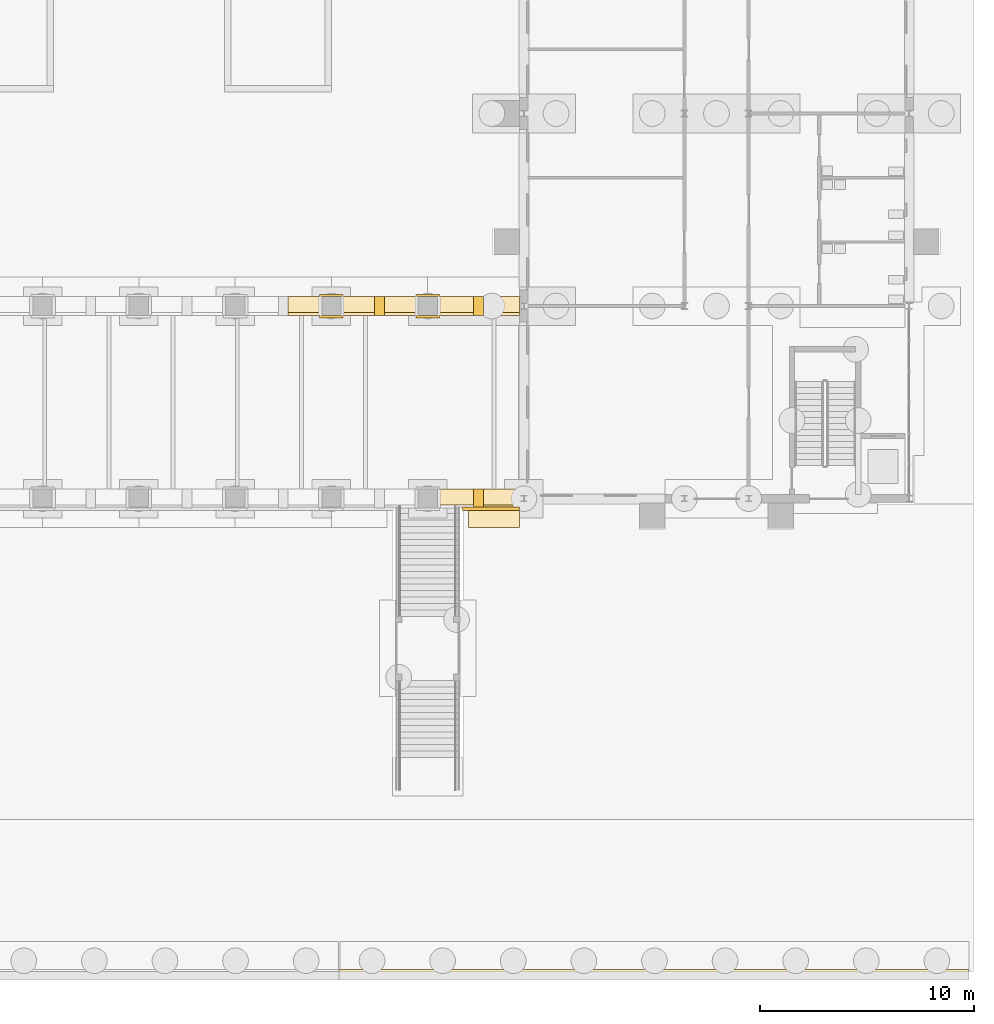
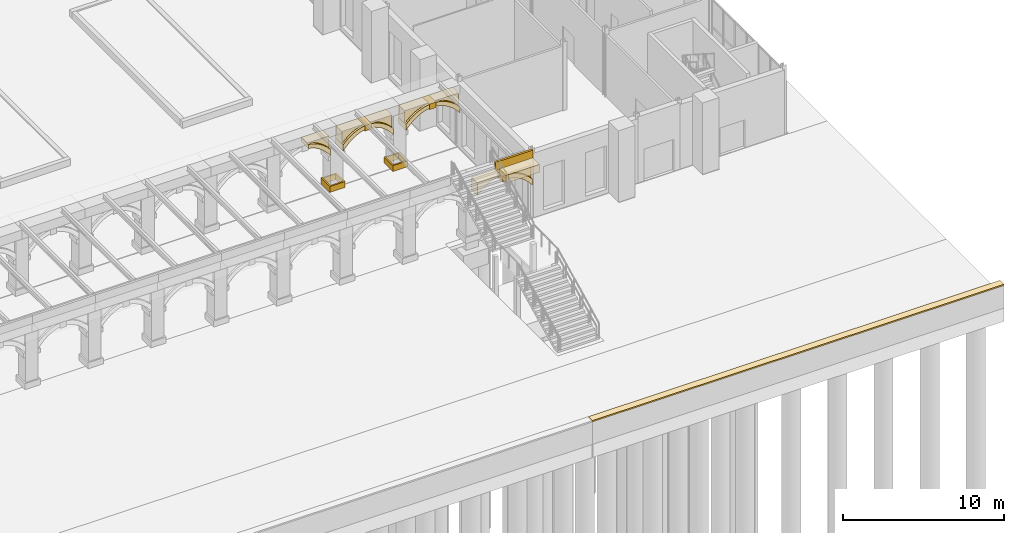
# One storey, part 151 of 168: 21 coverings.
"""IFC4 building model written with IfcOpenShell, lengths in metres."""

from ifc_helpers import new_model, si_unit, direction, frame, origin, origin_2d, place, context, subcontext, project, spatial, polyline, rectangle, outline, extrude, material, layer, layer_set, material_profile, profile_set, type_object, element, save


model = new_model("IFC4")

# Units and contexts
model_context = context("Model", 3, precision=1e-05, world=origin(), true_north=direction((0.0, 1.0)))
body_context = subcontext(model_context, "Body", "Model", "MODEL_VIEW")
ifc_project = project(units=[si_unit("LENGTHUNIT", "METRE"), si_unit("AREAUNIT", "SQUARE_METRE"), si_unit("VOLUMEUNIT", "CUBIC_METRE"), si_unit("PLANEANGLEUNIT", "RADIAN"), si_unit("MASSUNIT", "GRAM", prefix="KILO")], contexts=[model_context])

# Site, building, storey
site_placement = place(None, origin())
site = spatial("IfcSite", under=ifc_project, at=site_placement, CompositionType="ELEMENT")
building_placement = place(site_placement, origin())
building = spatial("IfcBuilding", under=site, at=building_placement, Name="Golden Quay Civic Hall", CompositionType="ELEMENT")
storey_placement = place(building_placement, origin())
storey = spatial("IfcBuildingStorey", under=building, at=storey_placement, Name="L00", CompositionType="ELEMENT", Elevation=0.0)

# Coverings
ifc_material_1 = material(Name="Brick, dark clay facing", Category="masonry")
ifc_layer_1 = layer(ifc_material_1, 0.75)
ifc_layer_set_1 = layer_set([ifc_layer_1], Name="Brick arch spandrel infill 750")
covering_type_1 = type_object("IfcCoveringType", Name="Brick arch spandrel infill 750", PredefinedType="CLADDING", material=ifc_layer_set_1)
covering_1_placement = place(storey_placement, frame((148.949951171875, -9.300048828125, 3.1572265625), z_axis=(0.0, -1.0, 0.0), x_axis=(0.658056528973, 0.0, 0.752968528344)))
element("IfcCovering", 1, at=covering_1_placement, inside=storey, type_object=covering_type_1, Name="Arch spandrel outer bay 30 left", PredefinedType="CLADDING", context=body_context, shape_type="SweptSolid", body=[
    extrude(outline(polyline([(0.0, 0.0), (0.0385842612026579, 0.0), (0.4021525223351694, -0.03276039665791591), (0.7352018795032452, -0.09738057643804893), (1.0399151233174213, -0.19227712789255808), (1.3174647506449282, -0.31545263540967905), (1.568425423981958, -0.46608063545322176), (1.778152518425552, -0.6303723176978897), (1.8223660004242417, -0.6650096362183683), (1.8286162274661582, -0.659547252921231), (0.7099522598788931, 0.6204624792218898), (0.0, 0.0)])), origin(), (0.0, 0.0, -1.0), 0.75),
])
covering_2_placement = place(storey_placement, frame((151.10009765625, -9.300048828125, 4.091796875), z_axis=(0.0, -1.0, 0.0), x_axis=(0.982376592497, 0.0, -0.186912360519)))
element("IfcCovering", 2, at=covering_2_placement, inside=storey, type_object=covering_type_1, Name="Arch spandrel outer bay 30 right", PredefinedType="CLADDING", context=body_context, shape_type="SweptSolid", body=[
    extrude(outline(polyline([(0.0, 0.0), (0.05616561069495772, 0.0), (0.3225810962179613, -8.489841956726973e-06), (0.6130292018599638, -0.03620174733371928), (0.9074781455240727, -0.11040296603549432), (1.2058706207770802, -0.2236171309889091), (1.5078978096178108, -0.37813968321301317), (1.814301511987233, -0.5765632081953413), (1.8446749828176605, -0.600358112739552), (1.6684407210194774, 0.3258963795020623), (-0.001551518617591463, 0.0081544931994342), (0.0, 0.0)])), origin(), (0.0, 0.0, -1.0), 0.75),
])
covering_3_placement = place(storey_placement, frame((141.97509765625, -0.300048828125, 4.091064453125), z_axis=(0.0, -1.0, 0.0), x_axis=(0.97842552974, 0.0, -0.206599813053)))
element("IfcCovering", 3, at=covering_3_placement, inside=storey, type_object=covering_type_1, Name="Arch spandrel inner1 bay 6 right", PredefinedType="CLADDING", context=body_context, shape_type="SweptSolid", body=[
    extrude(outline(polyline([(0.0, 0.0), (0.06263051710363293, 1.734723475976807e-18), (0.31267483867747137, -0.0001008788149670925), (0.5881025541456739, -0.03651242089648961), (0.8673750848258303, -0.11003975339043703), (1.1505561937424948, -0.22216655622637274), (1.4375212099073598, -0.3746658221616902), (1.7294911476562997, -0.5697749671774053), (1.7300697733119603, -0.5701518352031314), (1.539106176579233, 0.3342229342292182), (-0.0018662580768914177, 0.008838316552825392), (0.0, 0.0)])), origin(), (0.0, 0.0, -1.0), 0.75),
])
covering_4_placement = place(storey_placement, frame((144.449951171875, -0.300048828125, 3.17578125), z_axis=(0.0, -1.0, 0.0), x_axis=(0.707106781187, 0.0, 0.707106781187)))
element("IfcCovering", 4, at=covering_4_placement, inside=storey, type_object=covering_type_1, Name="Arch spandrel inner1 bay 7 left", PredefinedType="CLADDING", context=body_context, shape_type="SweptSolid", body=[
    extrude(outline(polyline([(0.0, 0.0), (0.0006905339660024879, 0.0), (0.35182705567826755, 0.004143203796014933), (0.6755148522419337, -0.02468658928458889), (0.9739981590465092, -0.08528094480130727), (1.2481401435494968, -0.17608616133063437), (1.4988039732084, -0.29589380443206603), (1.7083810318901549, -0.4322742627175573), (1.760861613306344, -0.46645569403468046), (1.767249052491867, -0.4600682548491575), (0.6535903988213547, 0.6535903988213547), (0.0, 0.0)])), origin(), (0.0, 0.0, -1.0), 0.75),
])
covering_5_placement = place(storey_placement, frame((146.47509765625, -0.300048828125, 4.091064453125), z_axis=(0.0, -1.0, 0.0), x_axis=(0.97842552974, 0.0, -0.206599813053)))
element("IfcCovering", 5, at=covering_5_placement, inside=storey, type_object=covering_type_1, Name="Arch spandrel inner1 bay 7 right", PredefinedType="CLADDING", context=body_context, shape_type="SweptSolid", body=[
    extrude(outline(polyline([(0.0, 0.0), (0.06263051710363293, 1.734723475976807e-18), (0.31267483867747137, -0.0001008788149670925), (0.5881025541456739, -0.03651242089648961), (0.8673750848258303, -0.11003975339043703), (1.1505561937424948, -0.22216655622637274), (1.4375212099073598, -0.3746658221616902), (1.7294911476562997, -0.5697749671774053), (1.7300697733119603, -0.5701518352031314), (1.539106176579233, 0.3342229342292182), (-0.0018662580768914177, 0.008838316552825392), (0.0, 0.0)])), origin(), (0.0, 0.0, -1.0), 0.75),
])
covering_6_placement = place(storey_placement, frame((148.949951171875, -0.300048828125, 3.1572265625), z_axis=(0.0, -1.0, 0.0), x_axis=(0.658056528973, 0.0, 0.752968528344)))
element("IfcCovering", 6, at=covering_6_placement, inside=storey, type_object=covering_type_1, Name="Arch spandrel inner1 bay 8 left", PredefinedType="CLADDING", context=body_context, shape_type="SweptSolid", body=[
    extrude(outline(polyline([(0.0, 0.0), (0.0385842612026579, 0.0), (0.4021525223351694, -0.03276039665791591), (0.7352018795032452, -0.09738057643804893), (1.0399151233174213, -0.19227712789255808), (1.3174647506449282, -0.31545263540967905), (1.568425423981958, -0.46608063545322176), (1.778152518425552, -0.6303723176978897), (1.8223660004242417, -0.6650096362183683), (1.8286162274661582, -0.659547252921231), (0.7099522598788931, 0.6204624792218898), (0.0, 0.0)])), origin(), (0.0, 0.0, -1.0), 0.75),
])
covering_7_placement = place(storey_placement, frame((151.10009765625, -0.300048828125, 4.091796875), z_axis=(0.0, -1.0, 0.0), x_axis=(0.982376592497, 0.0, -0.186912360519)))
element("IfcCovering", 7, at=covering_7_placement, inside=storey, type_object=covering_type_1, Name="Arch spandrel inner1 bay 8 right", PredefinedType="CLADDING", context=body_context, shape_type="SweptSolid", body=[
    extrude(outline(polyline([(0.0, 0.0), (0.05616561069495772, 0.0), (0.3225810962179613, -8.489841956726973e-06), (0.6130292018599638, -0.03620174733371928), (0.9074781455240727, -0.11040296603549432), (1.2058706207770802, -0.2236171309889091), (1.5078978096178108, -0.37813968321301317), (1.814301511987233, -0.5765632081953413), (1.8446749828176605, -0.600358112739552), (1.6684407210194774, 0.3258963795020623), (-0.001551518617591463, 0.0081544931994342), (0.0, 0.0)])), origin(), (0.0, 0.0, -1.0), 0.75),
])
ifc_material_2 = material(Name="Granite", Category="masonry")
ifc_layer_2 = layer(ifc_material_2, 0.10009765625)
ifc_layer_set_2 = layer_set([ifc_layer_2], Name="Granite wall coping 500 x 100")
covering_type_2 = type_object("IfcCoveringType", Name="Granite wall coping 500 x 100", PredefinedType="CLADDING", material=ifc_layer_set_2)
covering_8_placement = place(storey_placement, frame((0.0, 0.0, 1.10009765625)))
element("IfcCovering", 8, at=covering_8_placement, inside=storey, type_object=covering_type_2, Name="Quay wall coping run 6", PredefinedType="CLADDING", context=body_context, shape_type="SweptSolid", body=[
    extrude(outline(polyline([(144.360107421875, -31.5), (173.800048828125, -31.5), (173.800048828125, -31.0), (144.360107421875, -31.0), (144.360107421875, -31.5)])), origin(), (0.0, 0.0, 1.0), 0.099853515625),
])
ifc_material_3 = material(Name="Stone, buff limestone", Category="masonry")
ifc_layer_3 = layer(ifc_material_3, 0.89990234375)
ifc_layer_set_3 = layer_set([ifc_layer_3], Name="Stone arch keystone 450 x 420")
covering_type_3 = type_object("IfcCoveringType", Name="Stone arch keystone 450 x 420", PredefinedType="CLADDING", material=ifc_layer_set_3)
for number, where, z_axis, x_axis, name in (
    (9, (150.64990234375, -9.449951171875, 3.679931640625), (0.0, -1.0, 0.0), (1.0, 0.0, 0.0), "Arch keystone outer bay 30 crown"),
    (10, (146.02490234375, -0.449951171875, 3.679931640625), (0.0, -1.0, 0.0), (1.0, 0.0, 0.0), "Arch keystone inner1 bay 7 crown"),
    (11, (150.64990234375, -0.449951171875, 3.679931640625), (0.0, -1.0, 0.0), (1.0, 0.0, 0.0), "Arch keystone inner1 bay 8 crown"),
):
    element("IfcCovering", number, at=place(storey_placement, frame(where, z_axis=z_axis, x_axis=x_axis)), inside=storey, type_object=covering_type_3, Name=name, PredefinedType="CLADDING", context=body_context, shape_type="SweptSolid", body=[
        extrude(outline(polyline([(0.0, 0.0), (0.4501953125, 0.0), (0.4501953125, 0.420166015625), (0.0, 0.420166015625), (0.0, 0.0)])), origin(), (0.0, 0.0, -1.0), 0.89990234375),
    ])
ifc_material_4 = material(Name="Stone, buff limestone", Category="masonry")
ifc_layer_4 = layer(ifc_material_4, 0.89990234375)
ifc_layer_set_4 = layer_set([ifc_layer_4], Name="Stone arch ring 900 x 300")
covering_type_4 = type_object("IfcCoveringType", Name="Stone arch ring 900 x 300", PredefinedType="CLADDING", material=ifc_layer_set_4)
covering_9_placement = place(storey_placement, frame((151.10009765625, -9.449951171875, 3.786376953125), z_axis=(0.0, -1.0, 0.0), x_axis=(0.982939290351, 0.0, -0.183930289744)))
element("IfcCovering", 12, at=covering_9_placement, inside=storey, type_object=covering_type_4, Name="Arch ring outer bay 30 right", PredefinedType="CLADDING", context=body_context, shape_type="SweptSolid", body=[
    extrude(outline(polyline([(0.0, 0.0), (0.24688786340350402, 0.0), (0.5000778577654419, -0.03235177585634241), (0.759599436808497, -0.09854008490102112), (1.0258567442357194, -0.20072470584818516), (1.2991037580492646, -0.34159027309324475), (1.5805389067688107, -0.5248865835273426), (1.8707754072436686, -0.7552180748473547), (1.7866686121533664, -0.30574412689165364), (1.7563674913828704, -0.28185715779537124), (1.4505673541333268, -0.0825047057154874), (1.1490104843418525, 0.07293369438710287), (0.8509629531809246, 0.18705286719602054), (0.5567405431855433, 0.2621473059930982), (0.26640361034481397, 0.2992218172849632), (-1.0622654082560745e-05, 0.3000387959534945), (-0.05617597472395519, 0.30020924126672827), (0.0, 0.0)])), origin(), (0.0, 0.0, -1.0), 0.89990234375),
])
covering_10_placement = place(storey_placement, frame((141.97509765625, -0.449951171875, 3.784423828125), z_axis=(0.0, -1.0, 0.0), x_axis=(0.978953882547, 0.0, -0.20408159115)))
element("IfcCovering", 13, at=covering_10_placement, inside=storey, type_object=covering_type_4, Name="Arch ring inner1 bay 6 right", PredefinedType="CLADDING", context=body_context, shape_type="SweptSolid", body=[
    extrude(outline(polyline([(0.0, 0.0), (0.22968754671057404, 0.0), (0.4662407685933837, -0.031737496286033756), (0.7094806084662527, -0.09674615254891705), (0.9602836680123576, -0.19683833887607075), (1.2190088401055397, -0.33493190882748347), (1.486164491441282, -0.5146617232013373), (1.7631254697749046, -0.7402301762123651), (1.666017310314196, -0.27441447379927847), (1.665439656274305, -0.27403611818824464), (1.3739727106559259, -0.07817636573824266), (1.0874010326963535, 0.07506077076837225), (0.8045093690852512, 0.18791584163726896), (0.5254269523975812, 0.26216151297199447), (0.25009383740278873, 0.29928162385615015), (5.060311670204709e-05, 0.3000258789264141), (-0.06257970666118522, 0.30018703039037287), (0.0, 0.0)])), origin(), (0.0, 0.0, -1.0), 0.89990234375),
])
covering_11_placement = place(storey_placement, frame((144.449951171875, -0.449951171875, 2.699951171875), z_axis=(0.0, -1.0, 0.0), x_axis=(0.630180832165, 0.0, 0.776448400585)))
element("IfcCovering", 14, at=covering_11_placement, inside=storey, type_object=covering_type_4, Name="Arch ring inner1 bay 7 left", PredefinedType="CLADDING", context=body_context, shape_type="SweptSolid", body=[
    extrude(outline(polyline([(0.0, 0.0), (0.3571953394339093, 0.0), (0.6778408073481526, -0.02935016390994566), (0.9656562359875701, -0.08566026756533418), (1.2233312115769217, -0.1664329572349489), (1.452986632547569, -0.2696324374142566), (1.6564467051663616, -0.39440701136103273), (1.8345410995356382, -0.5394544374263122), (2.0726317223713804, -0.3462153931881483), (2.023967866388838, -0.30678937647863513), (1.8296201479431229, -0.14946443483618055), (1.5926919309667726, -0.004373956702034887), (1.3294118430005957, 0.11429790304869314), (1.038796361200025, 0.20543846536483718), (0.7198262528649223, 0.2675916358552039), (0.37014433379061235, 0.2997875748909126), (0.36945750311055836, 0.2998589946020553), (0.0, 0.0)])), origin(), (0.0, 0.0, -1.0), 0.89990234375),
])
covering_12_placement = place(storey_placement, frame((146.47509765625, -0.449951171875, 3.784423828125), z_axis=(0.0, -1.0, 0.0), x_axis=(0.978953882547, 0.0, -0.20408159115)))
element("IfcCovering", 15, at=covering_12_placement, inside=storey, type_object=covering_type_4, Name="Arch ring inner1 bay 7 right", PredefinedType="CLADDING", context=body_context, shape_type="SweptSolid", body=[
    extrude(outline(polyline([(0.0, 0.0), (0.22968754671057404, 0.0), (0.4662407685933837, -0.031737496286033756), (0.7094806084662527, -0.09674615254891705), (0.9602836680123576, -0.19683833887607075), (1.2190088401055397, -0.33493190882748347), (1.486164491441282, -0.5146617232013373), (1.7631254697749046, -0.7402301762123651), (1.666017310314196, -0.27441447379927847), (1.665439656274305, -0.27403611818824464), (1.3739727106559259, -0.07817636573824266), (1.0874010326963535, 0.07506077076837225), (0.8045093690852512, 0.18791584163726896), (0.5254269523975812, 0.26216151297199447), (0.25009383740278873, 0.29928162385615015), (5.060311670204709e-05, 0.3000258789264141), (-0.06257970666118522, 0.30018703039037287), (0.0, 0.0)])), origin(), (0.0, 0.0, -1.0), 0.89990234375),
])
covering_13_placement = place(storey_placement, frame((148.949951171875, -0.449951171875, 2.699951171875), z_axis=(0.0, -1.0, 0.0), x_axis=(0.655607573195, 0.0, 0.75510178782)))
element("IfcCovering", 16, at=covering_13_placement, inside=storey, type_object=covering_type_4, Name="Arch ring inner1 bay 8 left", PredefinedType="CLADDING", context=body_context, shape_type="SweptSolid", body=[
    extrude(outline(polyline([(0.0, 0.0), (0.37052641215113535, 0.0), (0.7049200239085212, -0.03137184676420662), (1.0065234442554076, -0.09089004085938673), (1.2786064104358172, -0.17636231724758233), (1.5230367232536635, -0.2858436600369565), (1.7414735419107, -0.41789352524343826), (1.934862912098755, -0.5713671991885638), (2.165486041142534, -0.37113158540273483), (2.1213852871341565, -0.3363508533714772), (1.9121928840139812, -0.1713788876459601), (1.6617227426728611, -0.019936613972285855), (1.3845746275894437, 0.1041396673527406), (1.0801711951167352, 0.2000253635360042), (0.7473334673810057, 0.26572687752618274), (0.3838735226929925, 0.29966789547627354), (0.3452894649872084, 0.2997932091293825), (0.0, 0.0)])), origin(), (0.0, 0.0, -1.0), 0.89990234375),
])
covering_14_placement = place(storey_placement, frame((151.10009765625, -0.449951171875, 3.786376953125), z_axis=(0.0, -1.0, 0.0), x_axis=(0.982939290351, 0.0, -0.183930289744)))
element("IfcCovering", 17, at=covering_14_placement, inside=storey, type_object=covering_type_4, Name="Arch ring inner1 bay 8 right", PredefinedType="CLADDING", context=body_context, shape_type="SweptSolid", body=[
    extrude(outline(polyline([(0.0, 0.0), (0.24688786340350402, 0.0), (0.5000778577654419, -0.03235177585634241), (0.759599436808497, -0.09854008490102112), (1.0258567442357194, -0.20072470584818516), (1.2991037580492646, -0.34159027309324475), (1.5805389067688107, -0.5248865835273426), (1.8707754072436686, -0.7552180748473547), (1.7866686121533664, -0.30574412689165364), (1.7563674913828704, -0.28185715779537124), (1.4505673541333268, -0.0825047057154874), (1.1490104843418525, 0.07293369438710287), (0.8509629531809246, 0.18705286719602054), (0.5567405431855433, 0.2621473059930982), (0.26640361034481397, 0.2992218172849632), (-1.0622654082560745e-05, 0.3000387959534945), (-0.05617597472395519, 0.30020924126672827), (0.0, 0.0)])), origin(), (0.0, 0.0, -1.0), 0.89990234375),
])
ifc_material_5 = material(Name="Stone, buff limestone", Category="masonry")
ifc_material_profile_1 = material_profile(ifc_material_5, rectangle(XDim=0.89990234375, YDim=0.60009765625, at=origin_2d()), Name="RC 900x600")
ifc_profile_set_1 = profile_set([ifc_material_profile_1], Name="Stone, buff limestone")
covering_type_5 = type_object("IfcCoveringType", Name="Stone cornice 900 x 600", PredefinedType="MOLDING", material=ifc_profile_set_1)
covering_15_placement = place(storey_placement, frame((150.39990234375, -9.89990234375, 4.5), z_axis=(1.0, 0.0, 0.0), x_axis=(0.0, 1.0, 0.0)))
element("IfcCovering", 18, at=covering_15_placement, inside=storey, type_object=covering_type_5, Name="Stone cornice outer bay 30", PredefinedType="MOLDING", context=body_context, shape_type="SweptSolid", body=[
    extrude(rectangle(XDim=0.89990234375, YDim=0.60009765625, at=origin_2d()), origin(), (0.0, 0.0, 1.0), 2.400146484375),
])
ifc_material_6 = material(Name="Stone, buff limestone", Category="masonry")
ifc_layer_5 = layer(ifc_material_6, 0.449951171875)
ifc_layer_set_5 = layer_set([ifc_layer_5], Name="Stone pier plinth 450")
covering_type_6 = type_object("IfcCoveringType", Name="Stone pier plinth 450", PredefinedType="CLADDING", material=ifc_layer_set_5)
covering_16_placement = place(storey_placement, origin())
element("IfcCovering", 19, at=covering_16_placement, inside=storey, type_object=covering_type_6, Name="Pier plinth inner1 144", PredefinedType="CLADDING", context=body_context, shape_type="SweptSolid", body=[
    extrude(outline(polyline([(143.449951171875, -0.550048828125), (144.550048828125, -0.550048828125), (144.550048828125, 0.550048828125), (143.449951171875, 0.550048828125), (143.449951171875, -0.550048828125)]), holes=[polyline([(143.550048828125, -0.449951171875), (144.449951171875, -0.449951171875), (144.449951171875, 0.449951171875), (143.550048828125, 0.449951171875), (143.550048828125, -0.449951171875)])]), origin(), (0.0, 0.0, 1.0), 0.449951171875),
])
covering_17_placement = place(storey_placement, origin())
element("IfcCovering", 20, at=covering_17_placement, inside=storey, type_object=covering_type_6, Name="Pier plinth inner1 148.5", PredefinedType="CLADDING", context=body_context, shape_type="SweptSolid", body=[
    extrude(outline(polyline([(147.949951171875, -0.550048828125), (149.050048828125, -0.550048828125), (149.050048828125, 0.550048828125), (147.949951171875, 0.550048828125), (147.949951171875, -0.550048828125)]), holes=[polyline([(148.050048828125, -0.449951171875), (148.949951171875, -0.449951171875), (148.949951171875, 0.449951171875), (148.050048828125, 0.449951171875), (148.050048828125, -0.449951171875)])]), origin(), (0.0, 0.0, 1.0), 0.449951171875),
])
ifc_material_7 = material(Name="Stone, buff limestone", Category="masonry")
ifc_material_profile_2 = material_profile(ifc_material_7, rectangle(XDim=0.14990234375, YDim=0.60009765625, at=origin_2d()), Name="RC 150x600")
ifc_profile_set_2 = profile_set([ifc_material_profile_2], Name="Stone, buff limestone")
covering_type_7 = type_object("IfcCoveringType", Name="Stone terrace fascia 150 x 600", PredefinedType="CLADDING", material=ifc_profile_set_2)
covering_18_placement = place(storey_placement, frame((150.10009765625, -9.47509765625, 5.10009765625), z_axis=(1.0, 0.0, 0.0), x_axis=(0.0, 1.0, 0.0)))
element("IfcCovering", 21, at=covering_18_placement, inside=storey, type_object=covering_type_7, Name="Terrace fascia bay 30", PredefinedType="CLADDING", context=body_context, shape_type="SweptSolid", body=[
    extrude(rectangle(XDim=0.14990234375, YDim=0.60009765625, at=origin_2d()), origin(), (0.0, 0.0, 1.0), 2.699951171875),
])

save(model, "model.ifc")
